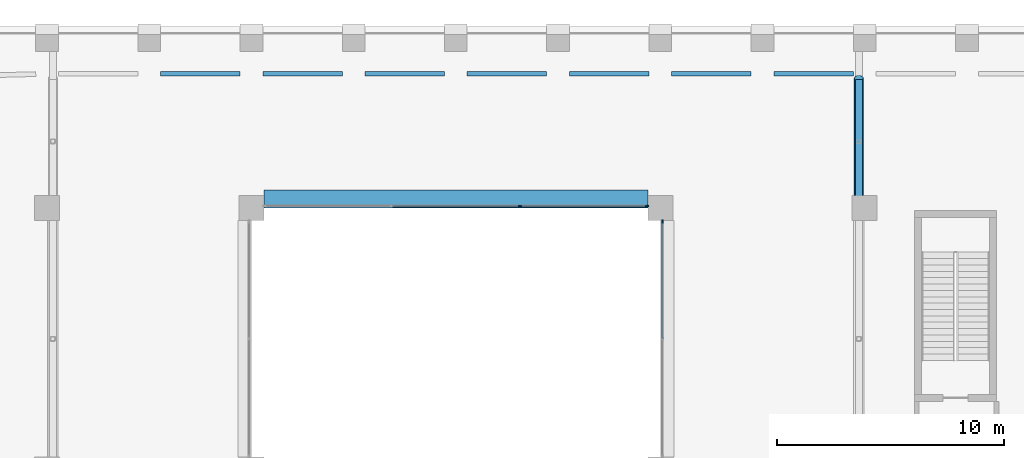
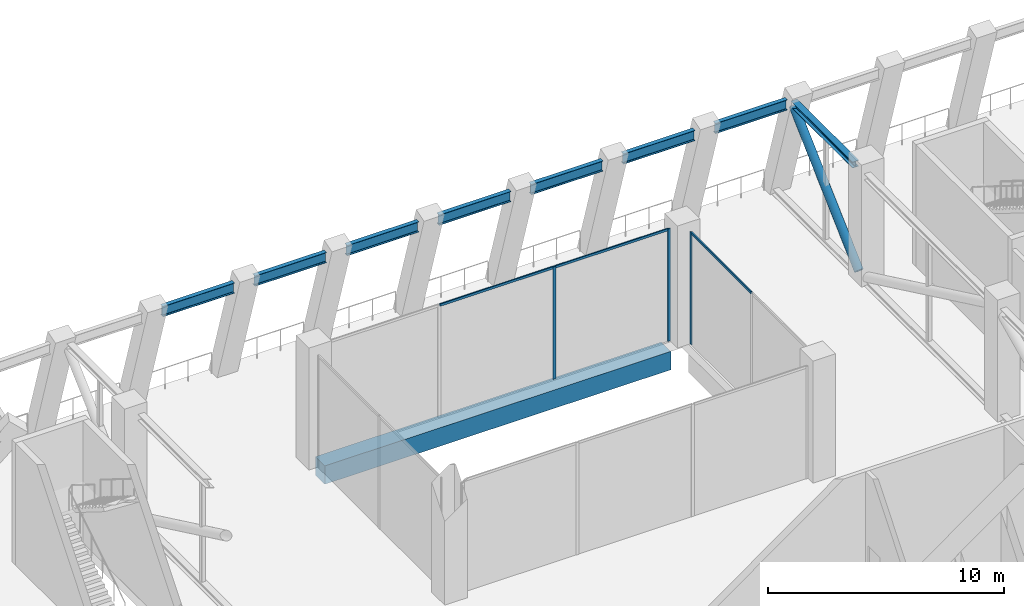
# One storey, part 7 of 14: 8 beams, 8 members, 2 elements without a shape of their own.
"""IFC4 building model written with IfcOpenShell, lengths in metres."""

from ifc_helpers import new_model, si_unit, direction, frame, origin, origin_2d, place, context, subcontext, project, spatial, rectangle, hollow_circle, i_section, extrude, material, layer, layer_set, material_profile, profile_set, type_object, element, aggregate, save


model = new_model("IFC4")

# Units and contexts
model_context = context("Model", 3, precision=1e-05, world=origin(), true_north=direction((0.0, 1.0)))
body_context = subcontext(model_context, "Body", "Model", "MODEL_VIEW")
ifc_project = project(units=[si_unit("LENGTHUNIT", "METRE"), si_unit("AREAUNIT", "SQUARE_METRE"), si_unit("VOLUMEUNIT", "CUBIC_METRE"), si_unit("PLANEANGLEUNIT", "RADIAN"), si_unit("MASSUNIT", "GRAM", prefix="KILO")], contexts=[model_context])

# Site, building, storey
site_placement = place(None, origin())
site = spatial("IfcSite", under=ifc_project, at=site_placement, CompositionType="ELEMENT")
building_placement = place(site_placement, origin())
building = spatial("IfcBuilding", under=site, at=building_placement, Name="Brigalow Station Residences", CompositionType="ELEMENT")
storey_placement = place(building_placement, frame((0.0, 0.0, 185.39990234375)))
storey = spatial("IfcBuildingStorey", under=building, at=storey_placement, Name="L54", CompositionType="ELEMENT", Elevation=185.39990234375)

# Beam
ifc_material_1 = material(Name="Concrete C65", Category="concrete")
ifc_material_profile_1 = material_profile(ifc_material_1, rectangle(XDim=0.800048828125, YDim=0.949951171875, at=origin_2d()), Name="RC800x950")
ifc_profile_set_1 = profile_set([ifc_material_profile_1], Name="Concrete C65")
beam_type_1 = type_object("IfcBeamType", Name="ATRIUM EDGE GIRDER OVER 13.5 M SPAN 800x950 C65", PredefinedType="BEAM", material=ifc_profile_set_1)
beam_placement = place(storey_placement, frame((27.550048828125, 35.89990234375, -0.974853515625), z_axis=(1.0, 0.0, 0.0), x_axis=(0.0, 1.0, 0.0)))
element("IfcBeam", 1, at=beam_placement, inside=storey, type_object=beam_type_1, Name="ATRIUM EDGE GIRDER D L54", PredefinedType="BEAM", context=body_context, shape_type="SweptSolid", body=[
    extrude(rectangle(XDim=0.800048828125, YDim=0.949951171875, at=origin_2d()), origin(), (0.0, 0.0, 1.0), 16.89990234375),
])

# Curtain wall, member
ifc_material_2 = material(Name="Aluminium", Category="aluminium")
ifc_layer = layer(ifc_material_2, 0.14990234375)
ifc_layer_set = layer_set([ifc_layer], Name="ATRIUM FIRE-RATED GLAZING CURTAIN WALL")
curtain_wall_type = type_object("IfcCurtainWallType", Name="ATRIUM FIRE-RATED GLAZING CURTAIN WALL", PredefinedType="NOTDEFINED", material=ifc_layer_set)
curtain_wall_1_placement = place(storey_placement, origin())
curtain_wall_1 = element("IfcCurtainWall", 2, at=curtain_wall_1_placement, inside=storey, type_object=curtain_wall_type, Name="L54/cw/atrium-E", PredefinedType="NOTDEFINED")
ifc_material_3 = material(Name="Aluminium", Category="aluminium")
ifc_material_profile_2 = material_profile(ifc_material_3, rectangle(XDim=0.06005859375, YDim=0.14990234375, at=origin_2d()), Name="ATRIUM FIRE-RATED GLAZING MULLION 60x150")
ifc_profile_set_2 = profile_set([ifc_material_profile_2], Name="Aluminium")
member_type_1 = type_object("IfcMemberType", Name="ATRIUM FIRE-RATED GLAZING MULLION 60x150", PredefinedType="MULLION", material=ifc_profile_set_2)
member_1_placement = place(storey_placement, frame((45.10009765625, 34.919921875, 0.0), z_axis=(0.0, 0.0, 1.0), x_axis=(-1.0, 0.0, 0.0)))
member_1 = element("IfcMember", 3, at=member_1_placement, type_object=member_type_1, Name="L54/cw/atrium-E/M02", PredefinedType="MULLION", context=body_context, shape_type="SweptSolid", body=[
    extrude(rectangle(XDim=0.06005859375, YDim=0.14990234375, at=origin_2d()), origin(), (0.0, 0.0, 1.0), 5.800048828125),
])

# Curtain wall, members
curtain_wall_2_placement = place(storey_placement, origin())
curtain_wall_2 = element("IfcCurtainWall", 4, at=curtain_wall_2_placement, inside=storey, type_object=curtain_wall_type, Name="L54/cw/atrium-N", PredefinedType="NOTDEFINED")
member_2_placement = place(storey_placement, frame((44.419921875, 35.60009765625, 0.0), z_axis=(0.0, 0.0, 1.0), x_axis=(0.0, -1.0, 0.0)))
member_2 = element("IfcMember", 5, at=member_2_placement, type_object=member_type_1, Name="L54/cw/atrium-N/M00", PredefinedType="MULLION", context=body_context, shape_type="SweptSolid", body=[
    extrude(rectangle(XDim=0.06005859375, YDim=0.14990234375, at=origin_2d()), origin(), (0.0, 0.0, 1.0), 5.800048828125),
])
member_3_placement = place(storey_placement, frame((38.816650390625, 35.60009765625, 0.0), z_axis=(0.0, 0.0, 1.0), x_axis=(0.0, -1.0, 0.0)))
member_3 = element("IfcMember", 6, at=member_3_placement, type_object=member_type_1, Name="L54/cw/atrium-N/M01", PredefinedType="MULLION", context=body_context, shape_type="SweptSolid", body=[
    extrude(rectangle(XDim=0.06005859375, YDim=0.14990234375, at=origin_2d()), origin(), (0.0, 0.0, 1.0), 5.800048828125),
])

# Member
ifc_material_4 = material(Name="Aluminium", Category="aluminium")
ifc_material_profile_3 = material_profile(ifc_material_4, rectangle(XDim=0.06005859375, YDim=0.1201171875, at=origin_2d()), Name="ATRIUM FIRE-RATED GLAZING TRANSOM 60x120")
ifc_profile_set_3 = profile_set([ifc_material_profile_3], Name="Aluminium")
member_type_2 = type_object("IfcMemberType", Name="ATRIUM FIRE-RATED GLAZING TRANSOM 60x120", PredefinedType="USERDEFINED", material=ifc_profile_set_3)
member_4_placement = place(storey_placement, frame((45.10009765625, 29.780029296875, 5.77001953125), z_axis=(0.0, 1.0, 0.0), x_axis=(-1.0, 0.0, 0.0)))
member_4 = element("IfcMember", 7, at=member_4_placement, type_object=member_type_2, Name="L54/cw/atrium-E/T01-00", ObjectType="TRANSOM", PredefinedType="USERDEFINED", context=body_context, shape_type="SweptSolid", body=[
    extrude(rectangle(XDim=0.06005859375, YDim=0.1201171875, at=origin_2d()), origin(), (0.0, 0.0, 1.0), 5.10986328125),
])

aggregate(curtain_wall_1, [member_1, member_4])

member_5_placement = place(storey_placement, frame((44.389892578125, 35.60009765625, 5.77001953125), z_axis=(-1.0, 0.0, 0.0), x_axis=(0.0, -1.0, 0.0)))
member_5 = element("IfcMember", 8, at=member_5_placement, type_object=member_type_2, Name="L54/cw/atrium-N/T00-00", ObjectType="TRANSOM", PredefinedType="USERDEFINED", context=body_context, shape_type="SweptSolid", body=[
    extrude(rectangle(XDim=0.06005859375, YDim=0.1201171875, at=origin_2d()), origin(), (0.0, 0.0, 1.0), 5.543212890625),
])

member_6_placement = place(storey_placement, frame((38.78662109375, 35.60009765625, 5.77001953125), z_axis=(-1.0, 0.0, 0.0), x_axis=(0.0, -1.0, 0.0)))
member_6 = element("IfcMember", 9, at=member_6_placement, type_object=member_type_2, Name="L54/cw/atrium-N/T01-00", ObjectType="TRANSOM", PredefinedType="USERDEFINED", context=body_context, shape_type="SweptSolid", body=[
    extrude(rectangle(XDim=0.06005859375, YDim=0.1201171875, at=origin_2d()), origin(), (0.0, 0.0, 1.0), 5.5732421875),
])

aggregate(curtain_wall_2, [member_2, member_3, member_5, member_6])

# Beams
ifc_material_5 = material(Name="Steel Grade 300 to AS/NZS 3679.1", Category="steel")
ifc_material_profile_4 = material_profile(ifc_material_5, i_section(OverallWidth=0.208984375, OverallDepth=0.532958984375, WebThickness=0.01025390625, FlangeThickness=0.015625, FilletRadius=0.013916015625, at=origin_2d()), Name="530UB92.4")
ifc_profile_set_4 = profile_set([ifc_material_profile_4], Name="Steel Grade 300 to AS/NZS 3679.1")
beam_type_2 = type_object("IfcBeamType", Name="BELT GIRDER 530UB92.4", PredefinedType="USERDEFINED", material=ifc_profile_set_4)
for number, where, z_axis, x_axis, name in (
    (10, (53.5, 41.415283203125, 5.53369140625), (-1.0, 0.0, 0.0), (0.0, -1.0, 0.0), "BELT GIRDER 20 L54"),
    (11, (49.0, 41.415283203125, 5.53369140625), (-1.0, 0.0, 0.0), (0.0, -1.0, 0.0), "BELT GIRDER 21 L54"),
    (12, (44.5, 41.415283203125, 5.53369140625), (-1.0, 0.0, 0.0), (0.0, -1.0, 0.0), "BELT GIRDER 22 L54"),
    (13, (40.0, 41.415283203125, 5.53369140625), (-1.0, 0.0, 0.0), (0.0, -1.0, 0.0), "BELT GIRDER 23 L54"),
    (14, (35.5, 41.415283203125, 5.53369140625), (-1.0, 0.0, 0.0), (0.0, -1.0, 0.0), "BELT GIRDER 24 L54"),
    (15, (31.0, 41.415283203125, 5.53369140625), (-1.0, 0.0, 0.0), (0.0, -1.0, 0.0), "BELT GIRDER 25 L54"),
    (16, (26.5, 41.415283203125, 5.53369140625), (-1.0, 0.0, 0.0), (0.0, -1.0, 0.0), "BELT GIRDER 26 L54"),
):
    element("IfcBeam", number, at=place(storey_placement, frame(where, z_axis=z_axis, x_axis=x_axis)), inside=storey, type_object=beam_type_2, Name=name, ObjectType="BELT GIRDER", PredefinedType="USERDEFINED", context=body_context, shape_type="SweptSolid", body=[
        extrude(i_section(OverallWidth=0.208984375, OverallDepth=0.532958984375, WebThickness=0.01025390625, FlangeThickness=0.015625, FilletRadius=0.013916015625, at=origin_2d()), origin(), (0.0, 0.0, 1.0), 3.5),
    ])

# Members
ifc_material_6 = material(Name="Steel Grade C350L0 to AS/NZS 1163", Category="steel")
ifc_material_profile_5 = material_profile(ifc_material_6, hollow_circle(Radius=0.203125, WallThickness=0.0126953125, at=origin_2d()), Name="406.4x12.7CHS")
ifc_profile_set_5 = profile_set([ifc_material_profile_5], Name="Steel Grade C350L0 to AS/NZS 1163")
member_type_3 = type_object("IfcMemberType", Name="OUTRIGGER BRACE 406.4x12.7CHS", PredefinedType="BRACE", material=ifc_profile_set_5)
member_7_placement = place(storey_placement, frame((53.739990234375, 35.668701171875, 0.314697265625), z_axis=(0.0, 0.731267277684, 0.682091026615), x_axis=(-1.0, 0.0, 0.0)))
element("IfcMember", 17, at=member_7_placement, inside=storey, type_object=member_type_3, Name="OUTRIGGER BRACE E3 L54", PredefinedType="BRACE", context=body_context, shape_type="SweptSolid", body=[
    extrude(hollow_circle(Radius=0.203125, WallThickness=0.0126953125, at=origin_2d()), origin(), (0.0, 0.0, 1.0), 7.5810546875),
])
ifc_material_7 = material(Name="Steel Grade 300 to AS/NZS 3679.1", Category="steel")
ifc_material_profile_6 = material_profile(ifc_material_7, i_section(OverallWidth=0.306884765625, OverallDepth=0.314697265625, WebThickness=0.011962890625, FlangeThickness=0.018798828125, FilletRadius=0.0166015625, at=origin_2d()), Name="310UC118")
ifc_profile_set_6 = profile_set([ifc_material_profile_6], Name="Steel Grade 300 to AS/NZS 3679.1")
member_type_4 = type_object("IfcMemberType", Name="OUTRIGGER CHORD 310UC118", PredefinedType="CHORD", material=ifc_profile_set_6)
member_8_placement = place(storey_placement, frame((53.739990234375, 35.949951171875, 5.642822265625), z_axis=(0.0, 1.0, 0.0), x_axis=(-1.0, 0.0, 0.0)))
element("IfcMember", 18, at=member_8_placement, inside=storey, type_object=member_type_4, Name="OUTRIGGER CHORD E UPPER 3 L54", PredefinedType="CHORD", context=body_context, shape_type="SweptSolid", body=[
    extrude(i_section(OverallWidth=0.306884765625, OverallDepth=0.314697265625, WebThickness=0.011962890625, FlangeThickness=0.018798828125, FilletRadius=0.0166015625, at=origin_2d()), origin(), (0.0, 0.0, 1.0), 5.21435546875),
])

save(model, "model.ifc")
